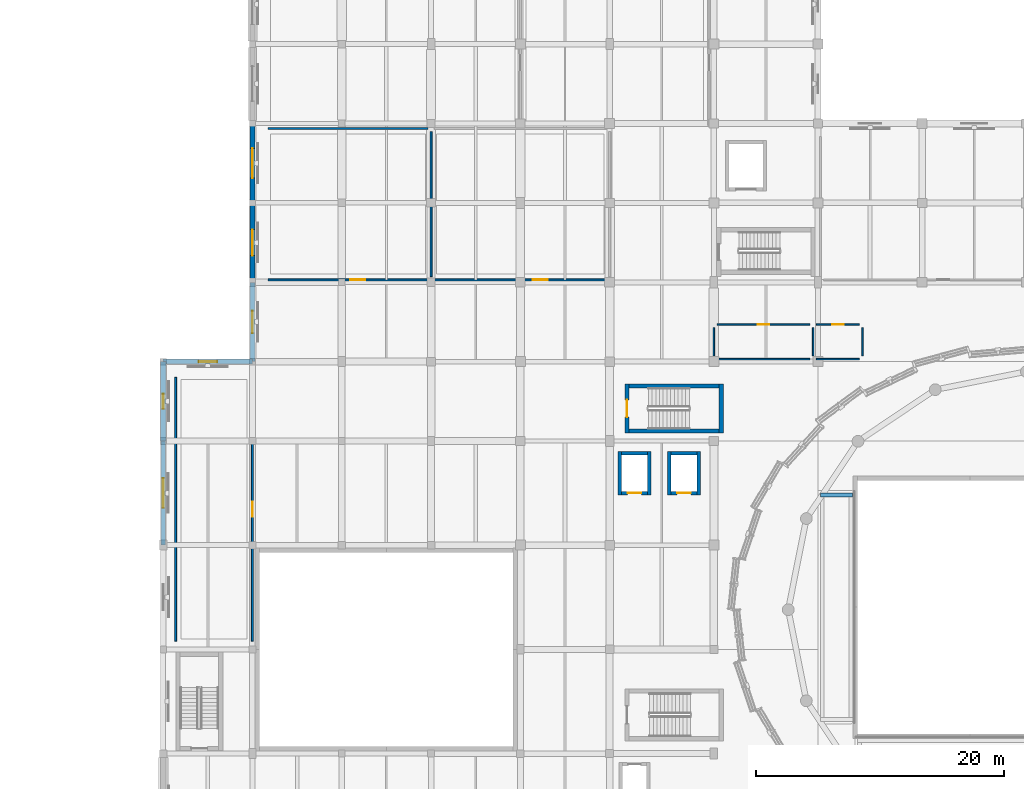
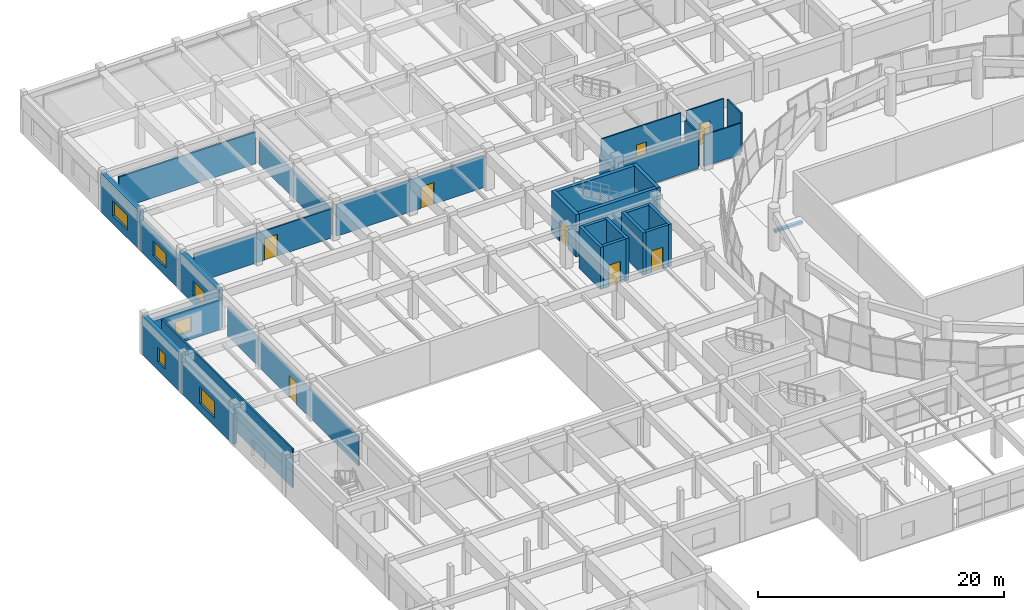
# One storey, part 49 of 71: 32 walls, 8 doors, 6 windows, 14 openings.
"""IFC4 building model written with IfcOpenShell, lengths in metres."""

from ifc_helpers import new_model, si_unit, direction, frame, frame_2d, origin, place, context, subcontext, project, spatial, rectangle, extrude, material, layer, layer_set, type_object, element, fill, save


model = new_model("IFC4")

# Units and contexts
model_context = context("Model", 3, precision=1e-05, world=origin(), true_north=direction((0.0, 1.0)))
body_context = subcontext(model_context, "Body", "Model", "MODEL_VIEW")
ifc_project = project(units=[si_unit("LENGTHUNIT", "METRE"), si_unit("AREAUNIT", "SQUARE_METRE"), si_unit("VOLUMEUNIT", "CUBIC_METRE"), si_unit("PLANEANGLEUNIT", "RADIAN"), si_unit("MASSUNIT", "GRAM", prefix="KILO")], contexts=[model_context])

# Site, building, storey
site_placement = place(None, origin())
site = spatial("IfcSite", under=ifc_project, at=site_placement, CompositionType="ELEMENT")
building_placement = place(site_placement, origin())
building = spatial("IfcBuilding", under=site, at=building_placement, Name="Korsvaeld Concert Hall", CompositionType="ELEMENT")
storey_placement = place(building_placement, frame((0.0, 0.0, 4.800048828125)))
storey = spatial("IfcBuildingStorey", under=building, at=storey_placement, Name="L01", CompositionType="ELEMENT", Elevation=4.800048828125)

# Walls
ifc_material_1 = material(Name="Concrete C40/50", Category="concrete")
ifc_layer_1 = layer(ifc_material_1, 0.340087890625)
ifc_layer_set_1 = layer_set([ifc_layer_1], Name="Concrete C40/50")
wall_type_1 = type_object("IfcWallType", Name="WL-CORE-340", PredefinedType="SHEAR", material=ifc_layer_set_1)
wall_1_placement = place(storey_placement, frame((51.969970703125, 77.60009765625, 0.0), z_axis=(0.0, 0.0, 1.0), x_axis=(1.0, 0.0, 0.0)))
element("IfcWall", 1, at=wall_1_placement, inside=storey, type_object=wall_type_1, Name="Core K1 shear wall L01 S", PredefinedType="SHEAR", context=body_context, shape_type="SweptSolid", body=[
    extrude(rectangle(XDim=7.260009765625, YDim=0.340087890625, at=frame_2d((3.6298828125, 0.0))), origin(), (0.0, 0.0, 1.0), 4.199951171875),
])
wall_2_placement = place(storey_placement, frame((59.39990234375, 77.429931640625, 0.0), z_axis=(0.0, 0.0, 1.0), x_axis=(0.0, 1.0, 0.0)))
element("IfcWall", 2, at=wall_2_placement, inside=storey, type_object=wall_type_1, Name="Core K1 shear wall L01 E", PredefinedType="SHEAR", context=body_context, shape_type="SweptSolid", body=[
    extrude(rectangle(XDim=3.97998046875, YDim=0.340087890625, at=frame_2d((1.989990234375, 0.0))), origin(), (0.0, 0.0, 1.0), 4.199951171875),
])
wall_3_placement = place(storey_placement, frame((59.22998046875, 81.239990234375, 0.0), z_axis=(0.0, 0.0, 1.0), x_axis=(-1.0, 0.0, 0.0)))
element("IfcWall", 3, at=wall_3_placement, inside=storey, type_object=wall_type_1, Name="Core K1 shear wall L01 N", PredefinedType="SHEAR", context=body_context, shape_type="SweptSolid", body=[
    extrude(rectangle(XDim=7.260009765625, YDim=0.340087890625, at=frame_2d((3.6298828125, 0.0))), origin(), (0.0, 0.0, 1.0), 4.199951171875),
])

# Wall, opening, door
wall_4_placement = place(storey_placement, frame((51.800048828125, 81.409912109375, 0.0), z_axis=(0.0, 0.0, 1.0), x_axis=(0.0, -1.0, 0.0)))
wall_4 = element("IfcWall", 4, at=wall_4_placement, inside=storey, type_object=wall_type_1, Name="Core K1 shear wall L01 W", PredefinedType="SHEAR", context=body_context, shape_type="SweptSolid", body=[
    extrude(rectangle(XDim=3.97998046875, YDim=0.340087890625, at=frame_2d((1.989990234375, 0.0))), origin(), (0.0, 0.0, 1.0), 4.199951171875),
])
opening_1_placement = place(wall_4_placement, frame((1.2900390625, 0.0, 0.0)))
opening_1 = element("IfcOpeningElement", 5, at=opening_1_placement, cuts=wall_4, Name="Opening FD-02", PredefinedType="OPENING", context=body_context, shape_type="SweptSolid", body=[
    extrude(rectangle(XDim=1.39990234375, YDim=2.14990234375, at=frame_2d((0.699951171875, 1.074951171875))), frame((0.0, 0.18017578125, 0.0), z_axis=(0.0, -1.0, 0.0), x_axis=(1.0, 0.0, 0.0)), (0.0, 0.0, 1.0), 0.360107421875),
])
ifc_material_2 = material(Name="Acoustic steel and oak fire door", Category="steel")
door_type_1 = type_object("IfcDoorType", Name="DR-FD-STAIR-140x215", OperationType="NOTDEFINED", PredefinedType="DOOR", material=ifc_material_2)
door_1_placement = place(opening_1_placement, origin())
door_1 = element("IfcDoor", 6, at=door_1_placement, inside=storey, type_object=door_type_1, Name="Escape stair ST-K1 fire door L01", OperationType="SINGLE_SWING_LEFT", OverallHeight=2.14990234375, OverallWidth=1.39990234375, PredefinedType="DOOR", context=body_context, shape_type="SweptSolid", body=[
    extrude(rectangle(XDim=1.39990234375, YDim=2.14990234375, at=frame_2d((0.699951171875, 1.074951171875))), frame((0.0, 0.02490234375, 0.0), z_axis=(0.0, -1.0, 0.0), x_axis=(1.0, 0.0, 0.0)), (0.0, 0.0, 1.0), 0.050048828125),
])
fill(opening_1, door_1)

# Wall, opening, window
ifc_material_3 = material(Name="Obernkirchener buff sandstone rainscreen on Concrete C35/45", Category="masonry")
ifc_layer_2 = layer(ifc_material_3, 0.389892578125)
ifc_layer_set_2 = layer_set([ifc_layer_2], Name="Obernkirchener buff sandstone rainscreen on Concrete C35/45")
wall_type_2 = type_object("IfcWallType", Name="WL-EXT-BUFF-390", PredefinedType="STANDARD", material=ifc_layer_set_2)
wall_5_placement = place(storey_placement, frame((14.39990234375, 68.39990234375, 0.0), z_axis=(0.0, 0.0, 1.0), x_axis=(0.0, 1.0, 0.0)))
wall_5 = element("IfcWall", 7, at=wall_5_placement, inside=storey, type_object=wall_type_2, Name="Exterior sandstone wall L01-143", PredefinedType="STANDARD", context=body_context, shape_type="SweptSolid", body=[
    extrude(rectangle(XDim=8.400146484375, YDim=0.389892578125, at=frame_2d((4.2001953125, 0.0))), origin(), (0.0, 0.0, 1.0), 2.989990234375),
])
opening_2_placement = place(wall_5_placement, frame((3.0, 0.0, 0.800048828125)))
opening_2 = element("IfcOpeningElement", 8, at=opening_2_placement, cuts=wall_5, Name="Opening WN-05", PredefinedType="OPENING", context=body_context, shape_type="SweptSolid", body=[
    extrude(rectangle(XDim=2.39990234375, YDim=1.64990234375, at=frame_2d((1.199951171875, 0.824951171875))), frame((0.0, 0.205078125, 0.0), z_axis=(0.0, -1.0, 0.0), x_axis=(1.0, 0.0, 0.0)), (0.0, 0.0, 1.0), 0.409912109375),
])
ifc_material_4 = material(Name="Anodised bronze frame with acoustic triple glazing", Category="glass")
window_type_1 = type_object("IfcWindowType", Name="WIN-AC-240x165", PartitioningType="TRIPLE_PANEL_VERTICAL", PredefinedType="WINDOW", material=ifc_material_4)
window_1_placement = place(opening_2_placement, origin())
window_1 = element("IfcWindow", 9, at=window_1_placement, inside=storey, type_object=window_type_1, Name="Acoustic triple-glazed window L01-053", OverallHeight=1.64990234375, OverallWidth=2.39990234375, PartitioningType="TRIPLE_PANEL_VERTICAL", PredefinedType="WINDOW", context=body_context, shape_type="SweptSolid", body=[
    extrude(rectangle(XDim=2.39990234375, YDim=1.64990234375, at=frame_2d((1.199951171875, 0.824951171875))), frame((0.0, 0.030029296875, 0.0), z_axis=(0.0, -1.0, 0.0), x_axis=(1.0, 0.0, 0.0)), (0.0, 0.0, 1.0), 0.06005859375),
])
fill(opening_2, window_1)

wall_6_placement = place(storey_placement, frame((14.39990234375, 83.199951171875, 0.0), z_axis=(0.0, 0.0, 1.0), x_axis=(1.0, 0.0, 0.0)))
wall_6 = element("IfcWall", 10, at=wall_6_placement, inside=storey, type_object=wall_type_2, Name="Exterior sandstone wall L01-145", PredefinedType="STANDARD", context=body_context, shape_type="SweptSolid", body=[
    extrude(rectangle(XDim=7.2001953125, YDim=0.389892578125, at=frame_2d((3.60009765625, 0.0))), origin(), (0.0, 0.0, 1.0), 3.0400390625),
])
opening_3_placement = place(wall_6_placement, frame((2.85009765625, 0.0, 0.800048828125)))
opening_3 = element("IfcOpeningElement", 11, at=opening_3_placement, cuts=wall_6, Name="Opening WN-07", PredefinedType="OPENING", context=body_context, shape_type="SweptSolid", body=[
    extrude(rectangle(XDim=1.5, YDim=1.449951171875, at=frame_2d((0.75, 0.72509765625))), frame((0.0, 0.205078125, 0.0), z_axis=(0.0, -1.0, 0.0), x_axis=(1.0, 0.0, 0.0)), (0.0, 0.0, 1.0), 0.409912109375),
])
window_type_2 = type_object("IfcWindowType", Name="WIN-AC-150x145", PartitioningType="SINGLE_PANEL", PredefinedType="WINDOW", material=ifc_material_4)
window_2_placement = place(opening_3_placement, origin())
window_2 = element("IfcWindow", 12, at=window_2_placement, inside=storey, type_object=window_type_2, Name="Acoustic triple-glazed window L01-055", OverallHeight=1.449951171875, OverallWidth=1.5, PartitioningType="SINGLE_PANEL", PredefinedType="WINDOW", context=body_context, shape_type="SweptSolid", body=[
    extrude(rectangle(XDim=1.5, YDim=1.449951171875, at=frame_2d((0.75, 0.72509765625))), frame((0.0, 0.030029296875, 0.0), z_axis=(0.0, -1.0, 0.0), x_axis=(1.0, 0.0, 0.0)), (0.0, 0.0, 1.0), 0.06005859375),
])
fill(opening_3, window_2)

wall_7_placement = place(storey_placement, frame((21.60009765625, 89.60009765625, 0.0), z_axis=(0.0, 0.0, 1.0), x_axis=(0.0, 1.0, 0.0)))
wall_7 = element("IfcWall", 13, at=wall_7_placement, inside=storey, type_object=wall_type_2, Name="Exterior sandstone wall L01-147", PredefinedType="STANDARD", context=body_context, shape_type="SweptSolid", body=[
    extrude(rectangle(XDim=6.39990234375, YDim=0.389892578125, at=frame_2d((3.199951171875, 0.0))), origin(), (0.0, 0.0, 1.0), 2.889892578125),
])
opening_4_placement = place(wall_7_placement, frame((2.14990234375, 0.0, 0.800048828125)))
opening_4 = element("IfcOpeningElement", 14, at=opening_4_placement, cuts=wall_7, Name="Opening WN-09", PredefinedType="OPENING", context=body_context, shape_type="SweptSolid", body=[
    extrude(rectangle(XDim=2.10009765625, YDim=1.449951171875, at=frame_2d((1.050048828125, 0.72509765625))), frame((0.0, 0.205078125, 0.0), z_axis=(0.0, -1.0, 0.0), x_axis=(1.0, 0.0, 0.0)), (0.0, 0.0, 1.0), 0.409912109375),
])
window_type_3 = type_object("IfcWindowType", Name="WIN-AC-210x145", PartitioningType="SINGLE_PANEL", PredefinedType="WINDOW", material=ifc_material_4)
window_3_placement = place(opening_4_placement, origin())
window_3 = element("IfcWindow", 15, at=window_3_placement, inside=storey, type_object=window_type_3, Name="Acoustic triple-glazed window L01-057", OverallHeight=1.449951171875, OverallWidth=2.10009765625, PartitioningType="SINGLE_PANEL", PredefinedType="WINDOW", context=body_context, shape_type="SweptSolid", body=[
    extrude(rectangle(XDim=2.10009765625, YDim=1.449951171875, at=frame_2d((1.050048828125, 0.72509765625))), frame((0.0, 0.030029296875, 0.0), z_axis=(0.0, -1.0, 0.0), x_axis=(1.0, 0.0, 0.0)), (0.0, 0.0, 1.0), 0.06005859375),
])
fill(opening_4, window_3)

ifc_material_5 = material(Name="Bornholm Nexo rose-red sandstone rainscreen on Concrete C35/45", Category="masonry")
ifc_layer_3 = layer(ifc_material_5, 0.419921875)
ifc_layer_set_3 = layer_set([ifc_layer_3], Name="Bornholm Nexo rose-red sandstone rainscreen on Concrete C35/45")
wall_type_3 = type_object("IfcWallType", Name="WL-EXT-NEXO-420", PredefinedType="STANDARD", material=ifc_layer_set_3)
wall_8_placement = place(storey_placement, frame((14.39990234375, 76.800048828125, 0.0), z_axis=(0.0, 0.0, 1.0), x_axis=(0.0, 1.0, 0.0)))
wall_8 = element("IfcWall", 16, at=wall_8_placement, inside=storey, type_object=wall_type_3, Name="Exterior sandstone wall L01-144", PredefinedType="STANDARD", context=body_context, shape_type="SweptSolid", body=[
    extrude(rectangle(XDim=6.39990234375, YDim=0.419921875, at=frame_2d((3.199951171875, 0.0))), origin(), (0.0, 0.0, 1.0), 3.83984375),
])
opening_5_placement = place(wall_8_placement, frame((2.60009765625, 0.0, 0.800048828125)))
opening_5 = element("IfcOpeningElement", 17, at=opening_5_placement, cuts=wall_8, Name="Opening WN-06", PredefinedType="OPENING", context=body_context, shape_type="SweptSolid", body=[
    extrude(rectangle(XDim=1.199951171875, YDim=1.449951171875, at=frame_2d((0.60009765625, 0.72509765625))), frame((0.0, 0.219970703125, 0.0), z_axis=(0.0, -1.0, 0.0), x_axis=(1.0, 0.0, 0.0)), (0.0, 0.0, 1.0), 0.43994140625),
])
window_type_4 = type_object("IfcWindowType", Name="WIN-AC-120x145", PartitioningType="SINGLE_PANEL", PredefinedType="WINDOW", material=ifc_material_4)
window_4_placement = place(opening_5_placement, origin())
window_4 = element("IfcWindow", 18, at=window_4_placement, inside=storey, type_object=window_type_4, Name="Acoustic triple-glazed window L01-054", OverallHeight=1.449951171875, OverallWidth=1.199951171875, PartitioningType="SINGLE_PANEL", PredefinedType="WINDOW", context=body_context, shape_type="SweptSolid", body=[
    extrude(rectangle(XDim=1.199951171875, YDim=1.449951171875, at=frame_2d((0.60009765625, 0.72509765625))), frame((0.0, 0.030029296875, 0.0), z_axis=(0.0, -1.0, 0.0), x_axis=(1.0, 0.0, 0.0)), (0.0, 0.0, 1.0), 0.06005859375),
])
fill(opening_5, window_4)

wall_9_placement = place(storey_placement, frame((21.60009765625, 83.199951171875, 0.0), z_axis=(0.0, 0.0, 1.0), x_axis=(0.0, 1.0, 0.0)))
wall_9 = element("IfcWall", 19, at=wall_9_placement, inside=storey, type_object=wall_type_3, Name="Exterior sandstone wall L01-146", PredefinedType="STANDARD", context=body_context, shape_type="SweptSolid", body=[
    extrude(rectangle(XDim=6.400146484375, YDim=0.419921875, at=frame_2d((3.2001953125, 0.0))), origin(), (0.0, 0.0, 1.0), 3.83984375),
])
opening_6_placement = place(wall_9_placement, frame((2.300048828125, 0.0, 0.800048828125)))
opening_6 = element("IfcOpeningElement", 20, at=opening_6_placement, cuts=wall_9, Name="Opening WN-08", PredefinedType="OPENING", context=body_context, shape_type="SweptSolid", body=[
    extrude(rectangle(XDim=1.800048828125, YDim=1.449951171875, at=frame_2d((0.89990234375, 0.72509765625))), frame((0.0, 0.219970703125, 0.0), z_axis=(0.0, -1.0, 0.0), x_axis=(1.0, 0.0, 0.0)), (0.0, 0.0, 1.0), 0.43994140625),
])
window_type_5 = type_object("IfcWindowType", Name="WIN-AC-180x145", PartitioningType="SINGLE_PANEL", PredefinedType="WINDOW", material=ifc_material_4)
window_5_placement = place(opening_6_placement, origin())
window_5 = element("IfcWindow", 21, at=window_5_placement, inside=storey, type_object=window_type_5, Name="Acoustic triple-glazed window L01-056", OverallHeight=1.449951171875, OverallWidth=1.800048828125, PartitioningType="SINGLE_PANEL", PredefinedType="WINDOW", context=body_context, shape_type="SweptSolid", body=[
    extrude(rectangle(XDim=1.800048828125, YDim=1.449951171875, at=frame_2d((0.89990234375, 0.72509765625))), frame((0.0, 0.030029296875, 0.0), z_axis=(0.0, -1.0, 0.0), x_axis=(1.0, 0.0, 0.0)), (0.0, 0.0, 1.0), 0.06005859375),
])
fill(opening_6, window_5)

wall_10_placement = place(storey_placement, frame((21.60009765625, 96.0, 0.0), z_axis=(0.0, 0.0, 1.0), x_axis=(0.0, 1.0, 0.0)))
wall_10 = element("IfcWall", 22, at=wall_10_placement, inside=storey, type_object=wall_type_3, Name="Exterior sandstone wall L01-148", PredefinedType="STANDARD", context=body_context, shape_type="SweptSolid", body=[
    extrude(rectangle(XDim=6.39990234375, YDim=0.419921875, at=frame_2d((3.199951171875, 0.0))), origin(), (0.0, 0.0, 1.0), 3.83984375),
])
opening_7_placement = place(wall_10_placement, frame((2.0, 0.0, 0.800048828125)))
opening_7 = element("IfcOpeningElement", 23, at=opening_7_placement, cuts=wall_10, Name="Opening WN-10", PredefinedType="OPENING", context=body_context, shape_type="SweptSolid", body=[
    extrude(rectangle(XDim=2.39990234375, YDim=1.449951171875, at=frame_2d((1.199951171875, 0.72509765625))), frame((0.0, 0.219970703125, 0.0), z_axis=(0.0, -1.0, 0.0), x_axis=(1.0, 0.0, 0.0)), (0.0, 0.0, 1.0), 0.43994140625),
])
window_type_6 = type_object("IfcWindowType", Name="WIN-AC-240x145", PartitioningType="TRIPLE_PANEL_VERTICAL", PredefinedType="WINDOW", material=ifc_material_4)
window_6_placement = place(opening_7_placement, origin())
window_6 = element("IfcWindow", 24, at=window_6_placement, inside=storey, type_object=window_type_6, Name="Acoustic triple-glazed window L01-058", OverallHeight=1.449951171875, OverallWidth=2.39990234375, PartitioningType="TRIPLE_PANEL_VERTICAL", PredefinedType="WINDOW", context=body_context, shape_type="SweptSolid", body=[
    extrude(rectangle(XDim=2.39990234375, YDim=1.449951171875, at=frame_2d((1.199951171875, 0.72509765625))), frame((0.0, 0.030029296875, 0.0), z_axis=(0.0, -1.0, 0.0), x_axis=(1.0, 0.0, 0.0)), (0.0, 0.0, 1.0), 0.06005859375),
])
fill(opening_7, window_6)

# Walls
ifc_material_6 = material(Name="Insulated acoustic gypsum partition")
ifc_layer_4 = layer(ifc_material_6, 0.125)
ifc_layer_set_4 = layer_set([ifc_layer_4], Name="Insulated acoustic gypsum partition")
wall_type_4 = type_object("IfcWallType", Name="WL-PART-125", PredefinedType="PARTITIONING", material=ifc_layer_set_4)
wall_11_placement = place(storey_placement, frame((59.06005859375, 83.39990234375, 0.0), z_axis=(0.0, 0.0, 1.0), x_axis=(1.0, 0.0, 0.0)))
element("IfcWall", 25, at=wall_11_placement, inside=storey, type_object=wall_type_4, Name="Interior partition L01-27 S", PredefinedType="PARTITIONING", context=body_context, shape_type="SweptSolid", body=[
    extrude(rectangle(XDim=7.47998046875, YDim=0.125, at=frame_2d((3.739990234375, 0.0))), origin(), (0.0, 0.0, 1.0), 3.114990234375),
])
wall_12_placement = place(storey_placement, frame((66.800048828125, 83.659912109375, 0.0), z_axis=(0.0, 0.0, 1.0), x_axis=(0.0, 1.0, 0.0)))
element("IfcWall", 26, at=wall_12_placement, inside=storey, type_object=wall_type_4, Name="Interior partition L01-27 E", PredefinedType="PARTITIONING", context=body_context, shape_type="SweptSolid", body=[
    extrude(rectangle(XDim=2.280029296875, YDim=0.125, at=frame_2d((1.14013671875, 0.0))), origin(), (0.0, 0.0, 1.0), 3.114990234375),
])

# Wall, opening, door
wall_13_placement = place(storey_placement, frame((66.5400390625, 86.199951171875, 0.0), z_axis=(0.0, 0.0, 1.0), x_axis=(-1.0, 0.0, 0.0)))
wall_13 = element("IfcWall", 27, at=wall_13_placement, inside=storey, type_object=wall_type_4, Name="Interior partition L01-27 N", PredefinedType="PARTITIONING", context=body_context, shape_type="SweptSolid", body=[
    extrude(rectangle(XDim=7.47998046875, YDim=0.125, at=frame_2d((3.739990234375, 0.0))), origin(), (0.0, 0.0, 1.0), 3.83984375),
])
opening_8_placement = place(wall_13_placement, frame((3.27001953125, 0.0, 0.0)))
opening_8 = element("IfcOpeningElement", 28, at=opening_8_placement, cuts=wall_13, Name="Opening ID-05", PredefinedType="OPENING", context=body_context, shape_type="SweptSolid", body=[
    extrude(rectangle(XDim=0.93994140625, YDim=2.10009765625, at=frame_2d((0.469970703125, 1.050048828125))), frame((0.0, 0.072509765625, 0.0), z_axis=(0.0, -1.0, 0.0), x_axis=(1.0, 0.0, 0.0)), (0.0, 0.0, 1.0), 0.14501953125),
])
ifc_material_7 = material(Name="Accessible washroom oak door")
door_type_2 = type_object("IfcDoorType", Name="DR-INT-WC-094x210", OperationType="NOTDEFINED", PredefinedType="DOOR", material=ifc_material_7)
door_2_placement = place(opening_8_placement, origin())
door_2 = element("IfcDoor", 29, at=door_2_placement, inside=storey, type_object=door_type_2, Name="Public Male & Female WC L01 West door L01-27", OperationType="SINGLE_SWING_RIGHT", OverallHeight=2.10009765625, OverallWidth=0.93994140625, PredefinedType="DOOR", context=body_context, shape_type="SweptSolid", body=[
    extrude(rectangle(XDim=0.93994140625, YDim=2.10009765625, at=frame_2d((0.469970703125, 1.050048828125))), frame((0.0, 0.02490234375, 0.0), z_axis=(0.0, -1.0, 0.0), x_axis=(1.0, 0.0, 0.0)), (0.0, 0.0, 1.0), 0.050048828125),
])
fill(opening_8, door_2)

# Walls
wall_14_placement = place(storey_placement, frame((58.800048828125, 85.93994140625, 0.0), z_axis=(0.0, 0.0, 1.0), x_axis=(0.0, -1.0, 0.0)))
element("IfcWall", 30, at=wall_14_placement, inside=storey, type_object=wall_type_4, Name="Interior partition L01-27 W", PredefinedType="PARTITIONING", context=body_context, shape_type="SweptSolid", body=[
    extrude(rectangle(XDim=2.280029296875, YDim=0.125, at=frame_2d((1.14013671875, 0.0))), origin(), (0.0, 0.0, 1.0), 2.614990234375),
])
wall_15_placement = place(storey_placement, frame((67.06005859375, 83.39990234375, 0.0), z_axis=(0.0, 0.0, 1.0), x_axis=(1.0, 0.0, 0.0)))
element("IfcWall", 31, at=wall_15_placement, inside=storey, type_object=wall_type_4, Name="Interior partition L01-28 S", PredefinedType="PARTITIONING", context=body_context, shape_type="SweptSolid", body=[
    extrude(rectangle(XDim=3.47998046875, YDim=0.125, at=frame_2d((1.739990234375, 0.0))), origin(), (0.0, 0.0, 1.0), 3.114990234375),
])
wall_16_placement = place(storey_placement, frame((70.800048828125, 83.659912109375, 0.0), z_axis=(0.0, 0.0, 1.0), x_axis=(0.0, 1.0, 0.0)))
element("IfcWall", 32, at=wall_16_placement, inside=storey, type_object=wall_type_4, Name="Interior partition L01-28 E", PredefinedType="PARTITIONING", context=body_context, shape_type="SweptSolid", body=[
    extrude(rectangle(XDim=2.280029296875, YDim=0.125, at=frame_2d((1.14013671875, 0.0))), origin(), (0.0, 0.0, 1.0), 3.83984375),
])

# Wall, opening, door
wall_17_placement = place(storey_placement, frame((70.5400390625, 86.199951171875, 0.0), z_axis=(0.0, 0.0, 1.0), x_axis=(-1.0, 0.0, 0.0)))
wall_17 = element("IfcWall", 33, at=wall_17_placement, inside=storey, type_object=wall_type_4, Name="Interior partition L01-28 N", PredefinedType="PARTITIONING", context=body_context, shape_type="SweptSolid", body=[
    extrude(rectangle(XDim=3.47998046875, YDim=0.125, at=frame_2d((1.739990234375, 0.0))), origin(), (0.0, 0.0, 1.0), 3.83984375),
])
opening_9_placement = place(wall_17_placement, frame((1.27001953125, 0.0, 0.0)))
opening_9 = element("IfcOpeningElement", 34, at=opening_9_placement, cuts=wall_17, Name="Opening ID-05", PredefinedType="OPENING", context=body_context, shape_type="SweptSolid", body=[
    extrude(rectangle(XDim=0.93994140625, YDim=2.10009765625, at=frame_2d((0.469970703125, 1.050048828125))), frame((0.0, 0.072509765625, 0.0), z_axis=(0.0, -1.0, 0.0), x_axis=(1.0, 0.0, 0.0)), (0.0, 0.0, 1.0), 0.14501953125),
])
door_3_placement = place(opening_9_placement, origin())
door_3 = element("IfcDoor", 35, at=door_3_placement, inside=storey, type_object=door_type_2, Name="Accessible WC L01 West door L01-28", OperationType="SINGLE_SWING_LEFT", OverallHeight=2.10009765625, OverallWidth=0.93994140625, PredefinedType="DOOR", context=body_context, shape_type="SweptSolid", body=[
    extrude(rectangle(XDim=0.93994140625, YDim=2.10009765625, at=frame_2d((0.469970703125, 1.050048828125))), frame((0.0, 0.02490234375, 0.0), z_axis=(0.0, -1.0, 0.0), x_axis=(1.0, 0.0, 0.0)), (0.0, 0.0, 1.0), 0.050048828125),
])
fill(opening_9, door_3)

ifc_material_8 = material(Name="Double-stud acoustic rehearsal partition")
ifc_layer_5 = layer(ifc_material_8, 0.159912109375)
ifc_layer_set_5 = layer_set([ifc_layer_5], Name="Double-stud acoustic rehearsal partition")
wall_type_5 = type_object("IfcWallType", Name="WL-PART-160", PredefinedType="PARTITIONING", material=ifc_layer_set_5)
wall_18_placement = place(storey_placement, frame((21.60009765625, 60.659912109375, 0.0), z_axis=(0.0, 0.0, 1.0), x_axis=(0.0, 1.0, 0.0)))
wall_18 = element("IfcWall", 36, at=wall_18_placement, inside=storey, type_object=wall_type_5, Name="Interior partition L01-14 E", PredefinedType="PARTITIONING", context=body_context, shape_type="SweptSolid", body=[
    extrude(rectangle(XDim=21.280029296875, YDim=0.159912109375, at=frame_2d((10.64013671875, 0.0))), origin(), (0.0, 0.0, 1.0), 2.9150390625),
])
opening_10_placement = place(wall_18_placement, frame((10.0400390625, 0.0, 0.0)))
opening_10 = element("IfcOpeningElement", 37, at=opening_10_placement, cuts=wall_18, Name="Opening ID-01", PredefinedType="OPENING", context=body_context, shape_type="SweptSolid", body=[
    extrude(rectangle(XDim=1.199951171875, YDim=2.14990234375, at=frame_2d((0.60009765625, 1.074951171875))), frame((0.0, 0.08984375, 0.0), z_axis=(0.0, -1.0, 0.0), x_axis=(1.0, 0.0, 0.0)), (0.0, 0.0, 1.0), 0.179931640625),
])
ifc_material_9 = material(Name="Solid European oak acoustic studio door")
door_type_3 = type_object("IfcDoorType", Name="DR-INT-REH-120x215", OperationType="NOTDEFINED", PredefinedType="DOOR", material=ifc_material_9)
door_4_placement = place(opening_10_placement, origin())
door_4 = element("IfcDoor", 38, at=door_4_placement, inside=storey, type_object=door_type_3, Name="Sectional Rehearsal Studio L01-W door L01-14", OperationType="SINGLE_SWING_RIGHT", OverallHeight=2.14990234375, OverallWidth=1.199951171875, PredefinedType="DOOR", context=body_context, shape_type="SweptSolid", body=[
    extrude(rectangle(XDim=1.199951171875, YDim=2.14990234375, at=frame_2d((0.60009765625, 1.074951171875))), frame((0.0, 0.02490234375, 0.0), z_axis=(0.0, -1.0, 0.0), x_axis=(1.0, 0.0, 0.0)), (0.0, 0.0, 1.0), 0.050048828125),
])
fill(opening_10, door_4)

# Wall
wall_19_placement = place(storey_placement, frame((15.39990234375, 81.93994140625, 0.0), z_axis=(0.0, 0.0, 1.0), x_axis=(0.0, -1.0, 0.0)))
element("IfcWall", 39, at=wall_19_placement, inside=storey, type_object=wall_type_5, Name="Interior partition L01-14 W", PredefinedType="PARTITIONING", context=body_context, shape_type="SweptSolid", body=[
    extrude(rectangle(XDim=21.280029296875, YDim=0.159912109375, at=frame_2d((10.64013671875, 0.0))), origin(), (0.0, 0.0, 1.0), 3.83984375),
])

# Wall, opening, door
wall_20_placement = place(storey_placement, frame((22.860107421875, 89.800048828125, 0.0), z_axis=(0.0, 0.0, 1.0), x_axis=(1.0, 0.0, 0.0)))
wall_20 = element("IfcWall", 40, at=wall_20_placement, inside=storey, type_object=wall_type_5, Name="Interior partition L01-16 S", PredefinedType="PARTITIONING", context=body_context, shape_type="SweptSolid", body=[
    extrude(rectangle(XDim=12.8798828125, YDim=0.159912109375, at=frame_2d((6.43994140625, 0.0))), origin(), (0.0, 0.0, 1.0), 2.9150390625),
])
opening_11_placement = place(wall_20_placement, frame((6.639892578125, 0.0, 0.0)))
opening_11 = element("IfcOpeningElement", 41, at=opening_11_placement, cuts=wall_20, Name="Opening ID-01", PredefinedType="OPENING", context=body_context, shape_type="SweptSolid", body=[
    extrude(rectangle(XDim=1.199951171875, YDim=2.14990234375, at=frame_2d((0.60009765625, 1.074951171875))), frame((0.0, 0.08984375, 0.0), z_axis=(0.0, -1.0, 0.0), x_axis=(1.0, 0.0, 0.0)), (0.0, 0.0, 1.0), 0.179931640625),
])
door_5_placement = place(opening_11_placement, origin())
door_5 = element("IfcDoor", 42, at=door_5_placement, inside=storey, type_object=door_type_3, Name="Ensemble Rehearsal Room L01-01 door L01-16", OperationType="SINGLE_SWING_LEFT", OverallHeight=2.14990234375, OverallWidth=1.199951171875, PredefinedType="DOOR", context=body_context, shape_type="SweptSolid", body=[
    extrude(rectangle(XDim=1.199951171875, YDim=2.14990234375, at=frame_2d((0.60009765625, 1.074951171875))), frame((0.0, 0.02490234375, 0.0), z_axis=(0.0, -1.0, 0.0), x_axis=(1.0, 0.0, 0.0)), (0.0, 0.0, 1.0), 0.050048828125),
])
fill(opening_11, door_5)

# Walls
wall_21_placement = place(storey_placement, frame((36.0, 90.06005859375, 0.0), z_axis=(0.0, 0.0, 1.0), x_axis=(0.0, 1.0, 0.0)))
element("IfcWall", 43, at=wall_21_placement, inside=storey, type_object=wall_type_5, Name="Interior partition L01-16 E", PredefinedType="PARTITIONING", context=body_context, shape_type="SweptSolid", body=[
    extrude(rectangle(XDim=11.679931640625, YDim=0.159912109375, at=frame_2d((5.83984375, 0.0))), origin(), (0.0, 0.0, 1.0), 2.6650390625),
])
wall_22_placement = place(storey_placement, frame((35.739990234375, 102.0, 0.0), z_axis=(0.0, 0.0, 1.0), x_axis=(-1.0, 0.0, 0.0)))
element("IfcWall", 44, at=wall_22_placement, inside=storey, type_object=wall_type_5, Name="Interior partition L01-16 N", PredefinedType="PARTITIONING", context=body_context, shape_type="SweptSolid", body=[
    extrude(rectangle(XDim=12.8798828125, YDim=0.159912109375, at=frame_2d((6.43994140625, 0.0))), origin(), (0.0, 0.0, 1.0), 3.1650390625),
])

# Wall, opening, door
wall_23_placement = place(storey_placement, frame((36.260009765625, 89.800048828125, 0.0), z_axis=(0.0, 0.0, 1.0), x_axis=(1.0, 0.0, 0.0)))
wall_23 = element("IfcWall", 45, at=wall_23_placement, inside=storey, type_object=wall_type_5, Name="Interior partition L01-17 S", PredefinedType="PARTITIONING", context=body_context, shape_type="SweptSolid", body=[
    extrude(rectangle(XDim=13.8798828125, YDim=0.159912109375, at=frame_2d((6.93994140625, 0.0))), origin(), (0.0, 0.0, 1.0), 3.1650390625),
])
opening_12_placement = place(wall_23_placement, frame((7.93994140625, 0.0, 0.0)))
opening_12 = element("IfcOpeningElement", 46, at=opening_12_placement, cuts=wall_23, Name="Opening ID-01", PredefinedType="OPENING", context=body_context, shape_type="SweptSolid", body=[
    extrude(rectangle(XDim=1.199951171875, YDim=2.14990234375, at=frame_2d((0.60009765625, 1.074951171875))), frame((0.0, 0.08984375, 0.0), z_axis=(0.0, -1.0, 0.0), x_axis=(1.0, 0.0, 0.0)), (0.0, 0.0, 1.0), 0.179931640625),
])
door_6_placement = place(opening_12_placement, origin())
door_6 = element("IfcDoor", 47, at=door_6_placement, inside=storey, type_object=door_type_3, Name="Ensemble Rehearsal Room L01-02 door L01-17", OperationType="SINGLE_SWING_RIGHT", OverallHeight=2.14990234375, OverallWidth=1.199951171875, PredefinedType="DOOR", context=body_context, shape_type="SweptSolid", body=[
    extrude(rectangle(XDim=1.199951171875, YDim=2.14990234375, at=frame_2d((0.60009765625, 1.074951171875))), frame((0.0, 0.02490234375, 0.0), z_axis=(0.0, -1.0, 0.0), x_axis=(1.0, 0.0, 0.0)), (0.0, 0.0, 1.0), 0.050048828125),
])
fill(opening_12, door_6)

ifc_layer_6 = layer(ifc_material_1, 0.280029296875)
ifc_layer_set_6 = layer_set([ifc_layer_6], Name="Concrete C40/50")
wall_type_6 = type_object("IfcWallType", Name="WL-SHAFT-280", PredefinedType="SHEAR", material=ifc_layer_set_6)
wall_24_placement = place(storey_placement, frame((51.340087890625, 72.60009765625, 0.0), z_axis=(0.0, 0.0, 1.0), x_axis=(1.0, 0.0, 0.0)))
wall_24 = element("IfcWall", 48, at=wall_24_placement, inside=storey, type_object=wall_type_6, Name="Lift LP-01 shaft wall L01 S", PredefinedType="SHEAR", context=body_context, shape_type="SweptSolid", body=[
    extrude(rectangle(XDim=2.119873046875, YDim=0.280029296875, at=frame_2d((1.06005859375, 0.0))), origin(), (0.0, 0.0, 1.0), 4.199951171875),
])
opening_13_placement = place(wall_24_placement, frame((0.510009765625, 0.0, 0.0)))
opening_13 = element("IfcOpeningElement", 49, at=opening_13_placement, cuts=wall_24, Name="Opening LD-01", PredefinedType="OPENING", context=body_context, shape_type="SweptSolid", body=[
    extrude(rectangle(XDim=1.10009765625, YDim=2.14990234375, at=frame_2d((0.550048828125, 1.074951171875))), frame((0.0, 0.14990234375, 0.0), z_axis=(0.0, -1.0, 0.0), x_axis=(1.0, 0.0, 0.0)), (0.0, 0.0, 1.0), 0.300048828125),
])
ifc_material_10 = material(Name="Brushed bronze-stainless sliding lift landing door")
door_type_4 = type_object("IfcDoorType", Name="DR-LD-PASS-110x215", OperationType="NOTDEFINED", PredefinedType="DOOR", material=ifc_material_10)
door_7_placement = place(opening_13_placement, origin())
door_7 = element("IfcDoor", 50, at=door_7_placement, inside=storey, type_object=door_type_4, Name="Lift landing door LP-01 L01", OperationType="SLIDING_TO_LEFT", OverallHeight=2.14990234375, OverallWidth=1.10009765625, PredefinedType="DOOR", context=body_context, shape_type="SweptSolid", body=[
    extrude(rectangle(XDim=1.10009765625, YDim=2.14990234375, at=frame_2d((0.550048828125, 1.074951171875))), frame((0.0, 0.02490234375, 0.0), z_axis=(0.0, -1.0, 0.0), x_axis=(1.0, 0.0, 0.0)), (0.0, 0.0, 1.0), 0.050048828125),
])
fill(opening_13, door_7)

# Walls
wall_25_placement = place(storey_placement, frame((53.60009765625, 72.4599609375, 0.0), z_axis=(0.0, 0.0, 1.0), x_axis=(0.0, 1.0, 0.0)))
element("IfcWall", 51, at=wall_25_placement, inside=storey, type_object=wall_type_6, Name="Lift LP-01 shaft wall L01 E", PredefinedType="SHEAR", context=body_context, shape_type="SweptSolid", body=[
    extrude(rectangle(XDim=3.47998046875, YDim=0.280029296875, at=frame_2d((1.739990234375, 0.0))), origin(), (0.0, 0.0, 1.0), 4.199951171875),
])
wall_26_placement = place(storey_placement, frame((53.4599609375, 75.800048828125, 0.0), z_axis=(0.0, 0.0, 1.0), x_axis=(-1.0, 0.0, 0.0)))
element("IfcWall", 52, at=wall_26_placement, inside=storey, type_object=wall_type_6, Name="Lift LP-01 shaft wall L01 N", PredefinedType="SHEAR", context=body_context, shape_type="SweptSolid", body=[
    extrude(rectangle(XDim=2.119873046875, YDim=0.280029296875, at=frame_2d((1.06005859375, 0.0))), origin(), (0.0, 0.0, 1.0), 4.199951171875),
])
wall_27_placement = place(storey_placement, frame((51.199951171875, 75.93994140625, 0.0), z_axis=(0.0, 0.0, 1.0), x_axis=(0.0, -1.0, 0.0)))
element("IfcWall", 53, at=wall_27_placement, inside=storey, type_object=wall_type_6, Name="Lift LP-01 shaft wall L01 W", PredefinedType="SHEAR", context=body_context, shape_type="SweptSolid", body=[
    extrude(rectangle(XDim=3.47998046875, YDim=0.280029296875, at=frame_2d((1.739990234375, 0.0))), origin(), (0.0, 0.0, 1.0), 4.199951171875),
])

# Wall, opening, door
wall_28_placement = place(storey_placement, frame((55.340087890625, 72.60009765625, 0.0), z_axis=(0.0, 0.0, 1.0), x_axis=(1.0, 0.0, 0.0)))
wall_28 = element("IfcWall", 54, at=wall_28_placement, inside=storey, type_object=wall_type_6, Name="Lift LP-02 shaft wall L01 S", PredefinedType="SHEAR", context=body_context, shape_type="SweptSolid", body=[
    extrude(rectangle(XDim=2.119873046875, YDim=0.280029296875, at=frame_2d((1.06005859375, 0.0))), origin(), (0.0, 0.0, 1.0), 4.199951171875),
])
opening_14_placement = place(wall_28_placement, frame((0.510009765625, 0.0, 0.0)))
opening_14 = element("IfcOpeningElement", 55, at=opening_14_placement, cuts=wall_28, Name="Opening LD-01", PredefinedType="OPENING", context=body_context, shape_type="SweptSolid", body=[
    extrude(rectangle(XDim=1.10009765625, YDim=2.14990234375, at=frame_2d((0.550048828125, 1.074951171875))), frame((0.0, 0.14990234375, 0.0), z_axis=(0.0, -1.0, 0.0), x_axis=(1.0, 0.0, 0.0)), (0.0, 0.0, 1.0), 0.300048828125),
])
door_8_placement = place(opening_14_placement, origin())
door_8 = element("IfcDoor", 56, at=door_8_placement, inside=storey, type_object=door_type_4, Name="Lift landing door LP-02 L01", OperationType="SLIDING_TO_RIGHT", OverallHeight=2.14990234375, OverallWidth=1.10009765625, PredefinedType="DOOR", context=body_context, shape_type="SweptSolid", body=[
    extrude(rectangle(XDim=1.10009765625, YDim=2.14990234375, at=frame_2d((0.550048828125, 1.074951171875))), frame((0.0, 0.02490234375, 0.0), z_axis=(0.0, -1.0, 0.0), x_axis=(1.0, 0.0, 0.0)), (0.0, 0.0, 1.0), 0.050048828125),
])
fill(opening_14, door_8)

# Walls
wall_29_placement = place(storey_placement, frame((57.60009765625, 72.4599609375, 0.0), z_axis=(0.0, 0.0, 1.0), x_axis=(0.0, 1.0, 0.0)))
element("IfcWall", 57, at=wall_29_placement, inside=storey, type_object=wall_type_6, Name="Lift LP-02 shaft wall L01 E", PredefinedType="SHEAR", context=body_context, shape_type="SweptSolid", body=[
    extrude(rectangle(XDim=3.47998046875, YDim=0.280029296875, at=frame_2d((1.739990234375, 0.0))), origin(), (0.0, 0.0, 1.0), 4.199951171875),
])
wall_30_placement = place(storey_placement, frame((57.4599609375, 75.800048828125, 0.0), z_axis=(0.0, 0.0, 1.0), x_axis=(-1.0, 0.0, 0.0)))
element("IfcWall", 58, at=wall_30_placement, inside=storey, type_object=wall_type_6, Name="Lift LP-02 shaft wall L01 N", PredefinedType="SHEAR", context=body_context, shape_type="SweptSolid", body=[
    extrude(rectangle(XDim=2.119873046875, YDim=0.280029296875, at=frame_2d((1.06005859375, 0.0))), origin(), (0.0, 0.0, 1.0), 4.199951171875),
])
wall_31_placement = place(storey_placement, frame((55.199951171875, 75.93994140625, 0.0), z_axis=(0.0, 0.0, 1.0), x_axis=(0.0, -1.0, 0.0)))
element("IfcWall", 59, at=wall_31_placement, inside=storey, type_object=wall_type_6, Name="Lift LP-02 shaft wall L01 W", PredefinedType="SHEAR", context=body_context, shape_type="SweptSolid", body=[
    extrude(rectangle(XDim=3.47998046875, YDim=0.280029296875, at=frame_2d((1.739990234375, 0.0))), origin(), (0.0, 0.0, 1.0), 4.199951171875),
])
ifc_layer_7 = layer(ifc_material_1, 0.300048828125)
ifc_layer_set_7 = layer_set([ifc_layer_7], Name="Concrete C40/50")
wall_type_7 = type_object("IfcWallType", Name="WL-TIER-300", PredefinedType="SHEAR", material=ifc_layer_set_7)
wall_32_placement = place(storey_placement, frame((67.39990234375, 72.449951171875, 0.0), z_axis=(0.0, 0.0, 1.0), x_axis=(1.0, 0.0, 0.0)))
element("IfcWall", 60, at=wall_32_placement, inside=storey, type_object=wall_type_7, Name="Seating tier back riser wall V1-CIRC1-W", PredefinedType="SHEAR", context=body_context, shape_type="SweptSolid", body=[
    extrude(rectangle(XDim=2.60009765625, YDim=0.300048828125, at=frame_2d((1.300048828125, 0.0))), origin(), (0.0, 0.0, 1.0), 0.25),
])

save(model, "model.ifc")
